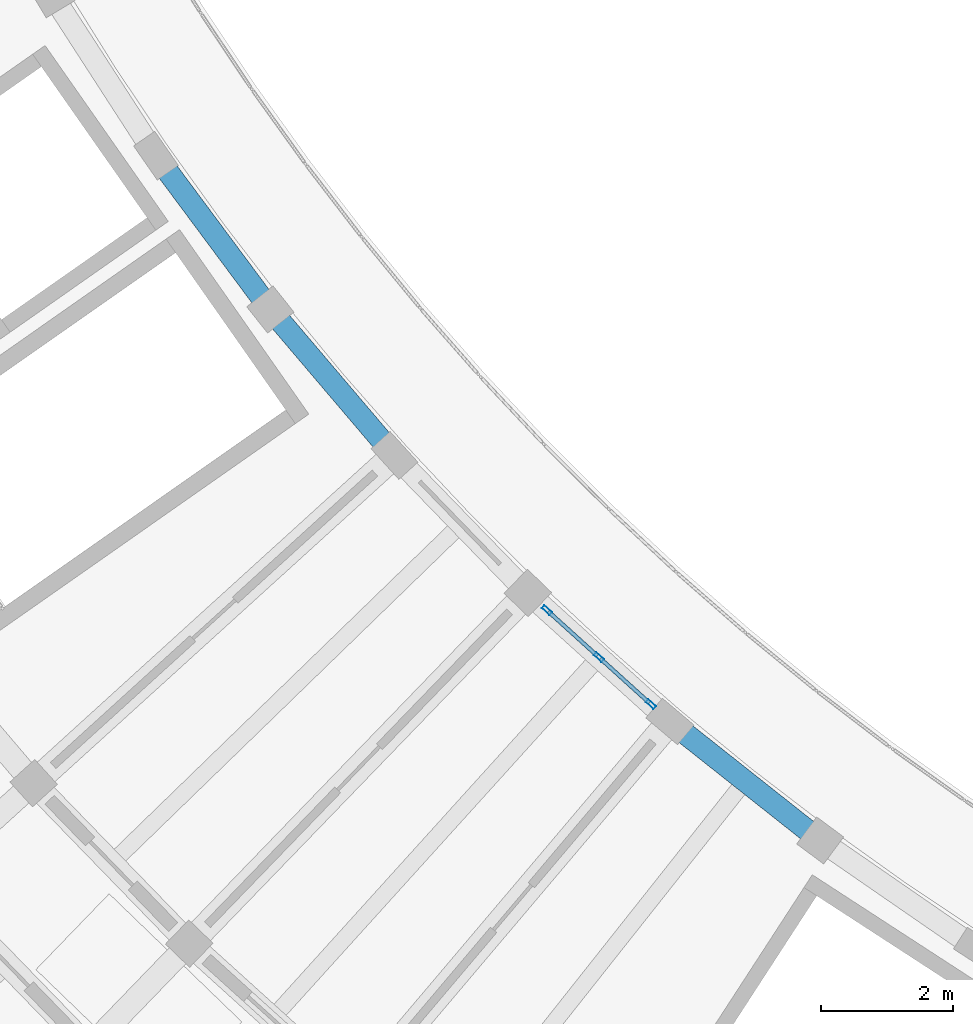
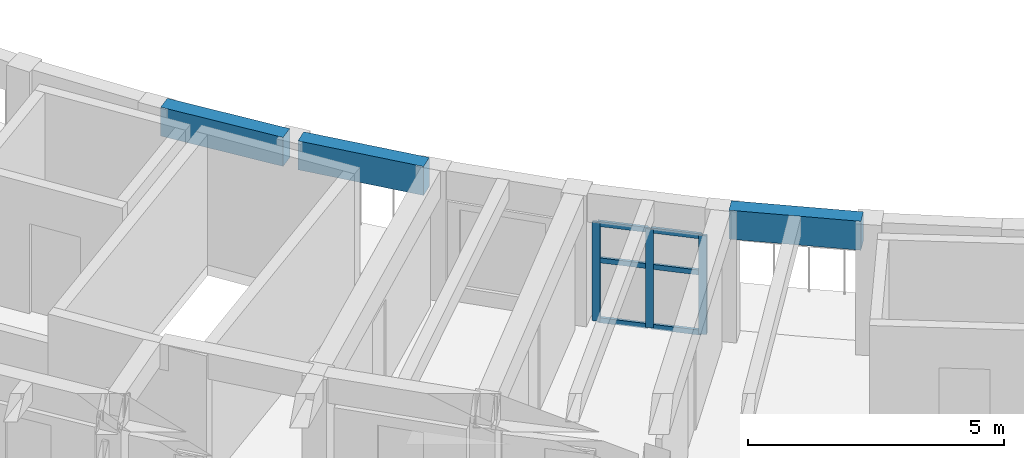
# One storey, part 4 of 41: 9 members, 3 beams, 1 element without a shape of its own.
"""IFC4 building model written with IfcOpenShell, lengths in metres."""

from ifc_helpers import new_model, si_unit, direction, frame, origin, origin_2d, place, context, subcontext, project, spatial, rectangle, hollow_rectangle, extrude, material, material_profile, profile_set, type_object, element, aggregate, save


model = new_model("IFC4")

# Units and contexts
model_context = context("Model", 3, precision=1e-05, world=origin(), true_north=direction((0.0, 1.0)))
body_context = subcontext(model_context, "Body", "Model", "MODEL_VIEW")
ifc_project = project(units=[si_unit("LENGTHUNIT", "METRE"), si_unit("AREAUNIT", "SQUARE_METRE"), si_unit("VOLUMEUNIT", "CUBIC_METRE"), si_unit("PLANEANGLEUNIT", "RADIAN"), si_unit("MASSUNIT", "GRAM", prefix="KILO")], contexts=[model_context])

# Site, building, storey
site_placement = place(None, origin())
site = spatial("IfcSite", under=ifc_project, at=site_placement, CompositionType="ELEMENT")
building_placement = place(site_placement, origin())
building = spatial("IfcBuilding", under=site, at=building_placement, Name="Tanwirah Colonnade Gardens", CompositionType="ELEMENT")
storey_placement = place(building_placement, frame((0.0, 0.0, 35.719970703125)))
storey = spatial("IfcBuildingStorey", under=building, at=storey_placement, Name="L10", CompositionType="ELEMENT", Elevation=35.719970703125)

# Curtain wall, members
ifc_material_1 = material(Name="Bronze-anodised aluminium and solar-control low-E glass", Category="aluminium")
curtain_wall_type = type_object("IfcCurtainWallType", Name="CW-GDN", PredefinedType="NOTDEFINED", material=ifc_material_1)
curtain_wall_placement = place(storey_placement, origin())
curtain_wall = element("IfcCurtainWall", 1, at=curtain_wall_placement, inside=storey, type_object=curtain_wall_type, Name="Curtain Wall CW-C-L10-IN-08", PredefinedType="NOTDEFINED")
ifc_material_2 = material(Name="Bronze-anodised aluminium", Category="aluminium")
ifc_material_profile_1 = material_profile(ifc_material_2, hollow_rectangle(XDim=0.06005859375, YDim=0.159912109375, WallThickness=0.00390625, at=origin_2d()), Name="CW-MUL 60x160x4")
ifc_profile_set_1 = profile_set([ifc_material_profile_1], Name="Bronze-anodised aluminium")
member_type_1 = type_object("IfcMemberType", Name="CWM-60x160", PredefinedType="MULLION", material=ifc_profile_set_1)
member_1_placement = place(storey_placement, frame((34.41162109375, 32.263671875, 0.0), z_axis=(0.0, 0.0, 1.0), x_axis=(0.670750964954, 0.741682643058, 0.0)))
member_1 = element("IfcMember", 2, at=member_1_placement, type_object=member_type_1, Name="CW-GDN mullion 1", PredefinedType="MULLION", context=body_context, shape_type="SweptSolid", body=[
    extrude(hollow_rectangle(XDim=0.06005859375, YDim=0.159912109375, WallThickness=0.00390625, at=origin_2d()), origin(), (0.0, 0.0, 1.0), 2.35498046875),
])
member_2_placement = place(storey_placement, frame((35.201171875, 31.5498046875, 0.0), z_axis=(0.0, 0.0, 1.0), x_axis=(0.670750964954, 0.741682643058, 0.0)))
member_2 = element("IfcMember", 3, at=member_2_placement, type_object=member_type_1, Name="CW-GDN mullion 2", PredefinedType="MULLION", context=body_context, shape_type="SweptSolid", body=[
    extrude(hollow_rectangle(XDim=0.06005859375, YDim=0.159912109375, WallThickness=0.00390625, at=origin_2d()), origin(), (0.0, 0.0, 1.0), 2.35498046875),
])
member_3_placement = place(storey_placement, frame((35.990478515625, 30.8359375, 0.0), z_axis=(0.0, 0.0, 1.0), x_axis=(0.670750964954, 0.741682643058, 0.0)))
member_3 = element("IfcMember", 4, at=member_3_placement, type_object=member_type_1, Name="CW-GDN mullion 3", PredefinedType="MULLION", context=body_context, shape_type="SweptSolid", body=[
    extrude(hollow_rectangle(XDim=0.06005859375, YDim=0.159912109375, WallThickness=0.00390625, at=origin_2d()), origin(), (0.0, 0.0, 1.0), 2.35498046875),
])
ifc_material_profile_2 = material_profile(ifc_material_2, hollow_rectangle(XDim=0.06005859375, YDim=0.1201171875, WallThickness=0.00390625, at=origin_2d()), Name="CW-TRN 60x120x4")
ifc_profile_set_2 = profile_set([ifc_material_profile_2], Name="Bronze-anodised aluminium")
member_type_2 = type_object("IfcMemberType", Name="CWT-60x120", PredefinedType="USERDEFINED", material=ifc_profile_set_2)
member_4_placement = place(storey_placement, frame((34.433837890625, 32.24365234375, 0.030029296875), z_axis=(0.741817868758, -0.67060140888, 0.0), x_axis=(0.67060140888, 0.741817868758, 0.0)))
member_4 = element("IfcMember", 5, at=member_4_placement, type_object=member_type_2, Name="CW-GDN transom 1.1", ObjectType="TRANSOM", PredefinedType="USERDEFINED", context=body_context, shape_type="SweptSolid", body=[
    extrude(hollow_rectangle(XDim=0.06005859375, YDim=0.1201171875, WallThickness=0.00390625, at=origin_2d()), origin(), (0.0, 0.0, 1.0), 1.00439453125),
])
member_5_placement = place(storey_placement, frame((34.433837890625, 32.24365234375, 1.460205078125), z_axis=(0.741817868758, -0.67060140888, 0.0), x_axis=(0.67060140888, 0.741817868758, 0.0)))
member_5 = element("IfcMember", 6, at=member_5_placement, type_object=member_type_2, Name="CW-GDN transom 1.2", ObjectType="TRANSOM", PredefinedType="USERDEFINED", context=body_context, shape_type="SweptSolid", body=[
    extrude(hollow_rectangle(XDim=0.06005859375, YDim=0.1201171875, WallThickness=0.00390625, at=origin_2d()), origin(), (0.0, 0.0, 1.0), 1.00439453125),
])
member_6_placement = place(storey_placement, frame((34.433837890625, 32.24365234375, 2.324951171875), z_axis=(0.741817868758, -0.67060140888, 0.0), x_axis=(0.67060140888, 0.741817868758, 0.0)))
member_6 = element("IfcMember", 7, at=member_6_placement, type_object=member_type_2, Name="CW-GDN transom 1.3", ObjectType="TRANSOM", PredefinedType="USERDEFINED", context=body_context, shape_type="SweptSolid", body=[
    extrude(hollow_rectangle(XDim=0.06005859375, YDim=0.1201171875, WallThickness=0.00390625, at=origin_2d()), origin(), (0.0, 0.0, 1.0), 1.00439453125),
])
member_7_placement = place(storey_placement, frame((35.223388671875, 31.52978515625, 0.030029296875), z_axis=(0.741587602232, -0.67085604135, 0.0), x_axis=(0.67085604135, 0.741587602232, 0.0)))
member_7 = element("IfcMember", 8, at=member_7_placement, type_object=member_type_2, Name="CW-GDN transom 2.1", ObjectType="TRANSOM", PredefinedType="USERDEFINED", context=body_context, shape_type="SweptSolid", body=[
    extrude(hollow_rectangle(XDim=0.06005859375, YDim=0.1201171875, WallThickness=0.00390625, at=origin_2d()), origin(), (0.0, 0.0, 1.0), 1.00439453125),
])
member_8_placement = place(storey_placement, frame((35.223388671875, 31.52978515625, 1.460205078125), z_axis=(0.741587602232, -0.67085604135, 0.0), x_axis=(0.67085604135, 0.741587602232, 0.0)))
member_8 = element("IfcMember", 9, at=member_8_placement, type_object=member_type_2, Name="CW-GDN transom 2.2", ObjectType="TRANSOM", PredefinedType="USERDEFINED", context=body_context, shape_type="SweptSolid", body=[
    extrude(hollow_rectangle(XDim=0.06005859375, YDim=0.1201171875, WallThickness=0.00390625, at=origin_2d()), origin(), (0.0, 0.0, 1.0), 1.00439453125),
])
member_9_placement = place(storey_placement, frame((35.223388671875, 31.52978515625, 2.324951171875), z_axis=(0.741587602232, -0.67085604135, 0.0), x_axis=(0.67085604135, 0.741587602232, 0.0)))
member_9 = element("IfcMember", 10, at=member_9_placement, type_object=member_type_2, Name="CW-GDN transom 2.3", ObjectType="TRANSOM", PredefinedType="USERDEFINED", context=body_context, shape_type="SweptSolid", body=[
    extrude(hollow_rectangle(XDim=0.06005859375, YDim=0.1201171875, WallThickness=0.00390625, at=origin_2d()), origin(), (0.0, 0.0, 1.0), 1.00439453125),
])
aggregate(curtain_wall, [member_1, member_2, member_3, member_4, member_5, member_6, member_7, member_8, member_9])

# Beams
ifc_material_3 = material(Name="Precast concrete C40/50", Category="concrete")
ifc_material_profile_3 = material_profile(ifc_material_3, rectangle(XDim=0.330078125, YDim=0.68994140625, at=origin_2d()), Name="PC-SP 330x690")
ifc_profile_set_3 = profile_set([ifc_material_profile_3], Name="Precast concrete C40/50")
beam_type = type_object("IfcBeamType", Name="SP-PC280", PredefinedType="SPANDREL", material=ifc_profile_set_3)
beam_1_placement = place(storey_placement, frame((28.5673828125, 39.043212890625, 2.780029296875), z_axis=(0.596565220249, -0.802564600508, 0.0), x_axis=(0.802564600508, 0.596565220249, 0.0)))
element("IfcBeam", 11, at=beam_1_placement, inside=storey, type_object=beam_type, Name="Block C L10 Circumferential Beam 5-R0", PredefinedType="SPANDREL", context=body_context, shape_type="SweptSolid", body=[
    extrude(rectangle(XDim=0.330078125, YDim=0.68994140625, at=origin_2d()), origin(), (0.0, 0.0, 1.0), 2.6083984375),
])
beam_2_placement = place(storey_placement, frame((30.310302734375, 36.71484375, 2.780029296875), z_axis=(0.647811402053, -0.761800753065, 0.0), x_axis=(0.761800753065, 0.647811402053, 0.0)))
element("IfcBeam", 12, at=beam_2_placement, inside=storey, type_object=beam_type, Name="Block C L10 Circumferential Beam 6-R0", PredefinedType="SPANDREL", context=body_context, shape_type="SweptSolid", body=[
    extrude(rectangle(XDim=0.330078125, YDim=0.68994140625, at=origin_2d()), origin(), (0.0, 0.0, 1.0), 2.608642578125),
])
beam_3_placement = place(storey_placement, frame((36.3974609375, 30.481201171875, 2.780029296875), z_axis=(0.783945239852, -0.62082997746, 0.0), x_axis=(0.62082997746, 0.783945239852, 0.0)))
element("IfcBeam", 13, at=beam_3_placement, inside=storey, type_object=beam_type, Name="Block C L10 Circumferential Beam 9-R0", PredefinedType="SPANDREL", context=body_context, shape_type="SweptSolid", body=[
    extrude(rectangle(XDim=0.330078125, YDim=0.68994140625, at=origin_2d()), origin(), (0.0, 0.0, 1.0), 2.60888671875),
])

save(model, "model.ifc")
